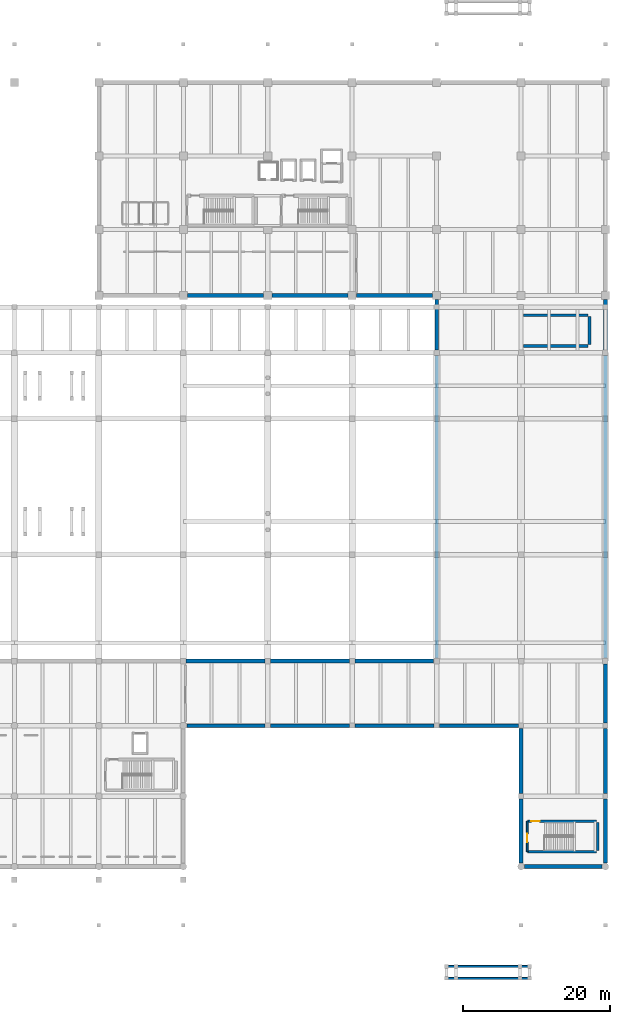
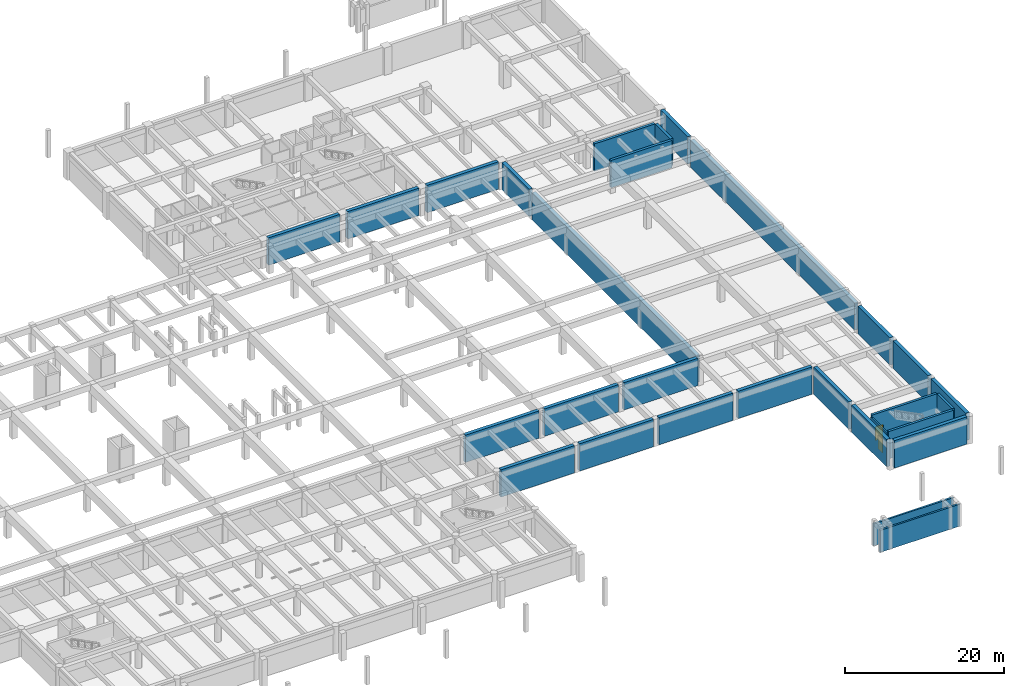
# One storey, part 14 of 20: 29 walls, 2 doors, 2 openings.
"""IFC4 building model written with IfcOpenShell, lengths in metres."""

from ifc_helpers import new_model, si_unit, direction, frame, frame_2d, origin, place, context, subcontext, project, spatial, rectangle, extrude, material, layer, layer_set, type_object, element, fill, save


model = new_model("IFC4")

# Units and contexts
model_context = context("Model", 3, precision=1e-05, world=origin(), true_north=direction((0.0, 1.0)))
body_context = subcontext(model_context, "Body", "Model", "MODEL_VIEW")
ifc_project = project(units=[si_unit("LENGTHUNIT", "METRE"), si_unit("AREAUNIT", "SQUARE_METRE"), si_unit("VOLUMEUNIT", "CUBIC_METRE"), si_unit("PLANEANGLEUNIT", "RADIAN"), si_unit("MASSUNIT", "GRAM", prefix="KILO")], contexts=[model_context])

# Site, building, storey
site_placement = place(None, origin())
site = spatial("IfcSite", under=ifc_project, at=site_placement, CompositionType="ELEMENT")
building_placement = place(site_placement, origin())
building = spatial("IfcBuilding", under=site, at=building_placement, Name="Ologun Quay Terminus", CompositionType="ELEMENT")
storey_placement = place(building_placement, frame((0.0, 0.0, -4.199951171875)))
storey = spatial("IfcBuildingStorey", under=building, at=storey_placement, Name="B01", CompositionType="ELEMENT", Elevation=-4.199951171875)

# Walls
ifc_material_1 = material(Name="Concrete C35/45", Category="concrete")
ifc_layer_1 = layer(ifc_material_1, 0.5)
ifc_layer_set_1 = layer_set([ifc_layer_1], Name="Concrete C35/45")
wall_type_1 = type_object("IfcWallType", Name="Basement Perimeter Retaining Wall 500", PredefinedType="SHEAR", material=ifc_layer_set_1)
wall_1_placement = place(storey_placement, frame((126.969970703125, 27.199951171875, 0.0), z_axis=(0.0, 0.0, 1.0), x_axis=(1.0, 0.0, 0.0)))
element("IfcWall", 1, at=wall_1_placement, inside=storey, type_object=wall_type_1, Name="Retaining Wall S7-12 B01", PredefinedType="SHEAR", context=body_context, shape_type="SweptSolid", body=[
    extrude(rectangle(XDim=10.659912109375, YDim=0.5, at=frame_2d((5.330078125, 0.0))), origin(), (0.0, 0.0, 1.0), 4.199951171875),
])
for number, where, z_axis, x_axis, name in (
    (2, (138.3701171875, 27.199951171875, 0.0), (0.0, 0.0, 1.0), (1.0, 0.0, 0.0), "Retaining Wall S7-13 B01"),
    (3, (149.8701171875, 27.199951171875, 0.0), (0.0, 0.0, 1.0), (1.0, 0.0, 0.0), "Retaining Wall S7-14 B01"),
    (4, (161.3701171875, 27.199951171875, 0.0), (0.0, 0.0, 1.0), (1.0, 0.0, 0.0), "Retaining Wall S7-15 B01"),
):
    element("IfcWall", number, at=place(storey_placement, frame(where, z_axis=z_axis, x_axis=x_axis)), inside=storey, type_object=wall_type_1, Name=name, PredefinedType="SHEAR", context=body_context, shape_type="SweptSolid", body=[
        extrude(rectangle(XDim=10.759765625, YDim=0.5, at=frame_2d((5.3798828125, 0.0))), origin(), (0.0, 0.0, 1.0), 4.199951171875),
    ])
wall_2_placement = place(storey_placement, frame((172.5, 8.469970703125, 0.0), z_axis=(0.0, 0.0, 1.0), x_axis=(0.0, 1.0, 0.0)))
element("IfcWall", 5, at=wall_2_placement, inside=storey, type_object=wall_type_1, Name="Retaining Wall S8-Y1 B01", PredefinedType="SHEAR", context=body_context, shape_type="SweptSolid", body=[
    extrude(rectangle(XDim=8.760009765625, YDim=0.5, at=frame_2d((4.3798828125, 0.0))), origin(), (0.0, 0.0, 1.0), 4.199951171875),
])
wall_3_placement = place(storey_placement, frame((172.5, 17.969970703125, 0.0), z_axis=(0.0, 0.0, 1.0), x_axis=(0.0, 1.0, 0.0)))
element("IfcWall", 6, at=wall_3_placement, inside=storey, type_object=wall_type_1, Name="Retaining Wall S8-Y2 B01", PredefinedType="SHEAR", context=body_context, shape_type="SweptSolid", body=[
    extrude(rectangle(XDim=8.860107421875, YDim=0.5, at=frame_2d((4.43017578125, 0.0))), origin(), (0.0, 0.0, 1.0), 4.199951171875),
])
wall_4_placement = place(storey_placement, frame((172.969970703125, 8.0, 0.0), z_axis=(0.0, 0.0, 1.0), x_axis=(1.0, 0.0, 0.0)))
element("IfcWall", 7, at=wall_4_placement, inside=storey, type_object=wall_type_1, Name="Retaining Wall S9-16 B01", PredefinedType="SHEAR", context=body_context, shape_type="SweptSolid", body=[
    extrude(rectangle(XDim=10.56005859375, YDim=0.5, at=frame_2d((5.280029296875, 0.0))), origin(), (0.0, 0.0, 1.0), 4.199951171875),
])
wall_5_placement = place(storey_placement, frame((184.0, 8.469970703125, 0.0), z_axis=(0.0, 0.0, 1.0), x_axis=(0.0, 1.0, 0.0)))
element("IfcWall", 8, at=wall_5_placement, inside=storey, type_object=wall_type_1, Name="Retaining Wall EG-Y1 B01", PredefinedType="SHEAR", context=body_context, shape_type="SweptSolid", body=[
    extrude(rectangle(XDim=8.760009765625, YDim=0.5, at=frame_2d((4.3798828125, 0.0))), origin(), (0.0, 0.0, 1.0), 4.199951171875),
])
wall_6_placement = place(storey_placement, frame((184.0, 17.969970703125, 0.0), z_axis=(0.0, 0.0, 1.0), x_axis=(0.0, 1.0, 0.0)))
element("IfcWall", 9, at=wall_6_placement, inside=storey, type_object=wall_type_1, Name="Retaining Wall EG-Y2 B01", PredefinedType="SHEAR", context=body_context, shape_type="SweptSolid", body=[
    extrude(rectangle(XDim=8.860107421875, YDim=0.5, at=frame_2d((4.43017578125, 0.0))), origin(), (0.0, 0.0, 1.0), 4.199951171875),
])
wall_7_placement = place(storey_placement, frame((184.0, 27.570068359375, 0.0), z_axis=(0.0, 0.0, 1.0), x_axis=(0.0, 1.0, 0.0)))
element("IfcWall", 10, at=wall_7_placement, inside=storey, type_object=wall_type_1, Name="Retaining Wall EG-Y3 B01", PredefinedType="SHEAR", context=body_context, shape_type="SweptSolid", body=[
    extrude(rectangle(XDim=8.034912109375, YDim=0.5, at=frame_2d((4.017578125, 0.0))), origin(), (0.0, 0.0, 1.0), 4.199951171875),
])
wall_8_placement = place(storey_placement, frame((184.0, 36.39501953125, 0.0), z_axis=(0.0, 0.0, 1.0), x_axis=(0.0, 1.0, 0.0)))
element("IfcWall", 11, at=wall_8_placement, inside=storey, type_object=wall_type_1, Name="Retaining Wall EG-Y4 B01", PredefinedType="SHEAR", context=body_context, shape_type="SweptSolid", body=[
    extrude(rectangle(XDim=41.2099609375, YDim=0.5, at=frame_2d((20.60498046875, 0.0))), origin(), (0.0, 0.0, 1.0), 4.199951171875),
])
wall_9_placement = place(storey_placement, frame((184.0, 78.39501953125, 0.0), z_axis=(0.0, 0.0, 1.0), x_axis=(0.0, 1.0, 0.0)))
element("IfcWall", 12, at=wall_9_placement, inside=storey, type_object=wall_type_1, Name="Retaining Wall EG-Y5 B01", PredefinedType="SHEAR", context=body_context, shape_type="SweptSolid", body=[
    extrude(rectangle(XDim=6.8349609375, YDim=0.5, at=frame_2d((3.41748046875, 0.0))), origin(), (0.0, 0.0, 1.0), 4.199951171875),
])
for number, where, z_axis, x_axis, name in (
    (13, (126.89501953125, 36.0, 0.0), (0.0, 0.0, 1.0), (1.0, 0.0, 0.0), "Retaining Wall TS-12 B01"),
    (14, (138.39501953125, 36.0, 0.0), (0.0, 0.0, 1.0), (1.0, 0.0, 0.0), "Retaining Wall TS-13 B01"),
    (15, (149.89501953125, 36.0, 0.0), (0.0, 0.0, 1.0), (1.0, 0.0, 0.0), "Retaining Wall TS-14 B01"),
):
    element("IfcWall", number, at=place(storey_placement, frame(where, z_axis=z_axis, x_axis=x_axis)), inside=storey, type_object=wall_type_1, Name=name, PredefinedType="SHEAR", context=body_context, shape_type="SweptSolid", body=[
        extrude(rectangle(XDim=10.7099609375, YDim=0.5, at=frame_2d((5.35498046875, 0.0))), origin(), (0.0, 0.0, 1.0), 4.199951171875),
    ])
wall_10_placement = place(storey_placement, frame((161.0, 36.39501953125, 0.0), z_axis=(0.0, 0.0, 1.0), x_axis=(0.0, 1.0, 0.0)))
element("IfcWall", 16, at=wall_10_placement, inside=storey, type_object=wall_type_1, Name="Retaining Wall TE-Y1 B01", PredefinedType="SHEAR", context=body_context, shape_type="SweptSolid", body=[
    extrude(rectangle(XDim=41.2099609375, YDim=0.5, at=frame_2d((20.60498046875, 0.0))), origin(), (0.0, 0.0, 1.0), 4.199951171875),
])
wall_11_placement = place(storey_placement, frame((161.0, 78.39501953125, 0.0), z_axis=(0.0, 0.0, 1.0), x_axis=(0.0, 1.0, 0.0)))
element("IfcWall", 17, at=wall_11_placement, inside=storey, type_object=wall_type_1, Name="Retaining Wall TE-Y2 B01", PredefinedType="SHEAR", context=body_context, shape_type="SweptSolid", body=[
    extrude(rectangle(XDim=6.8349609375, YDim=0.5, at=frame_2d((3.41748046875, 0.0))), origin(), (0.0, 0.0, 1.0), 4.199951171875),
])
for number, where, z_axis, x_axis, name in (
    (18, (127.070068359375, 85.800048828125, 0.0), (0.0, 0.0, 1.0), (1.0, 0.0, 0.0), "Retaining Wall TNE-12 B01"),
    (19, (138.570068359375, 85.800048828125, 0.0), (0.0, 0.0, 1.0), (1.0, 0.0, 0.0), "Retaining Wall TNE-13 B01"),
    (20, (150.070068359375, 85.800048828125, 0.0), (0.0, 0.0, 1.0), (1.0, 0.0, 0.0), "Retaining Wall TNE-14 B01"),
):
    element("IfcWall", number, at=place(storey_placement, frame(where, z_axis=z_axis, x_axis=x_axis)), inside=storey, type_object=wall_type_1, Name=name, PredefinedType="SHEAR", context=body_context, shape_type="SweptSolid", body=[
        extrude(rectangle(XDim=10.35986328125, YDim=0.5, at=frame_2d((5.179931640625, 0.0))), origin(), (0.0, 0.0, 1.0), 4.199951171875),
    ])

# Wall, opening, door
ifc_material_2 = material(Name="Concrete C40/50", Category="concrete")
ifc_layer_2 = layer(ifc_material_2, 0.239990234375)
ifc_layer_set_2 = layer_set([ifc_layer_2], Name="Concrete C40/50")
wall_type_2 = type_object("IfcWallType", Name="Fire Compartment Blockwork Wall 240", PredefinedType="SOLIDWALL", material=ifc_layer_set_2)
wall_12_placement = place(storey_placement, frame((173.35009765625, 10.02001953125, 0.0), z_axis=(0.0, 0.0, 1.0), x_axis=(0.0, 1.0, 0.0)))
wall_12 = element("IfcWall", 21, at=wall_12_placement, inside=storey, type_object=wall_type_2, Name="PW-01 Partition ST-S2-W", PredefinedType="SOLIDWALL", context=body_context, shape_type="SweptSolid", body=[
    extrude(rectangle(XDim=4.159912109375, YDim=0.239990234375, at=frame_2d((2.080078125, 0.0))), origin(), (0.0, 0.0, 1.0), 3.85986328125),
])
opening_1_placement = place(wall_12_placement, frame((1.300048828125, 0.0, 0.0)))
opening_1 = element("IfcOpeningElement", 22, at=opening_1_placement, cuts=wall_12, Name="Opening ID-239", PredefinedType="OPENING", context=body_context, shape_type="SweptSolid", body=[
    extrude(rectangle(XDim=1.1298828125, YDim=2.14990234375, at=frame_2d((0.56494140625, 1.074951171875))), frame((0.0, 0.1298828125, 0.0), z_axis=(0.0, -1.0, 0.0), x_axis=(1.0, 0.0, 0.0)), (0.0, 0.0, 1.0), 0.260009765625),
])
ifc_material_3 = material(Name="Steel S355", Category="steel")
door_type = type_object("IfcDoorType", Name="Stairwell Fire Escape Door 1130x2150", OperationType="SINGLE_SWING_LEFT", PredefinedType="DOOR", material=ifc_material_3)
door_1_placement = place(opening_1_placement, frame((0.56494140625, 0.0, 0.0), z_axis=(0.0, 0.0, 1.0), x_axis=(-1.0, 0.0, 0.0)))
door_1 = element("IfcDoor", 23, at=door_1_placement, inside=storey, type_object=door_type, Name="FD-01 Door ID-239", OperationType="SINGLE_SWING_LEFT", OverallHeight=2.14990234375, OverallWidth=1.1298828125, PredefinedType="DOOR", context=body_context, shape_type="SweptSolid", body=[
    extrude(rectangle(XDim=1.1298828125, YDim=2.14990234375, at=frame_2d((0.0, 1.074951171875))), frame((0.0, 0.02490234375, 0.0), z_axis=(0.0, -1.0, 0.0), x_axis=(1.0, 0.0, 0.0)), (0.0, 0.0, 1.0), 0.050048828125),
])
fill(opening_1, door_1)

# Walls
ifc_material_4 = material(Name="Concrete C40/50", Category="concrete")
ifc_layer_3 = layer(ifc_material_4, 0.3798828125)
ifc_layer_set_3 = layer_set([ifc_layer_3], Name="Concrete C40/50")
wall_type_3 = type_object("IfcWallType", Name="Platform Spine Shear Wall 380", PredefinedType="SHEAR", material=ifc_layer_set_3)
for number, where, z_axis, x_axis, name in (
    (24, (172.85009765625, 78.909912109375, 0.0), (0.0, 0.0, 1.0), (1.0, 0.0, 0.0), "Station Core 6 S Shear Wall B01"),
    (25, (172.85009765625, 83.090087890625, 0.0), (0.0, 0.0, 1.0), (1.0, 0.0, 0.0), "Station Core 6 N Shear Wall B01"),
):
    element("IfcWall", number, at=place(storey_placement, frame(where, z_axis=z_axis, x_axis=x_axis)), inside=storey, type_object=wall_type_3, Name=name, PredefinedType="SHEAR", context=body_context, shape_type="SweptSolid", body=[
        extrude(rectangle(XDim=8.7998046875, YDim=0.3798828125, at=frame_2d((4.39990234375, 0.0))), origin(), (0.0, 0.0, 1.0), 4.199951171875),
    ])
wall_13_placement = place(storey_placement, frame((181.840087890625, 79.10009765625, 0.0), z_axis=(0.0, 0.0, 1.0), x_axis=(0.0, 1.0, 0.0)))
element("IfcWall", 26, at=wall_13_placement, inside=storey, type_object=wall_type_3, Name="Station Core 6 E Shear Wall B01", PredefinedType="SHEAR", context=body_context, shape_type="SweptSolid", body=[
    extrude(rectangle(XDim=3.7998046875, YDim=0.3798828125, at=frame_2d((1.89990234375, 0.0))), origin(), (0.0, 0.0, 1.0), 4.199951171875),
])
ifc_material_5 = material(Name="Concrete C40/50", Category="concrete")
ifc_layer_4 = layer(ifc_material_5, 0.35009765625)
ifc_layer_set_4 = layer_set([ifc_layer_4], Name="Concrete C40/50")
wall_type_4 = type_object("IfcWallType", Name="Station Core Shear Wall 350", PredefinedType="SHEAR", material=ifc_layer_set_4)
wall_14_placement = place(storey_placement, frame((173.35009765625, 10.02490234375, 0.0), z_axis=(0.0, 0.0, 1.0), x_axis=(1.0, 0.0, 0.0)))
element("IfcWall", 27, at=wall_14_placement, inside=storey, type_object=wall_type_4, Name="Station Core 2 S Shear Wall B01", PredefinedType="SHEAR", context=body_context, shape_type="SweptSolid", body=[
    extrude(rectangle(XDim=9.39990234375, YDim=0.35009765625, at=frame_2d((4.699951171875, 0.0))), origin(), (0.0, 0.0, 1.0), 4.199951171875),
])

# Wall, opening, door
wall_15_placement = place(storey_placement, frame((173.35009765625, 14.175048828125, 0.0), z_axis=(0.0, 0.0, 1.0), x_axis=(1.0, 0.0, 0.0)))
wall_15 = element("IfcWall", 28, at=wall_15_placement, inside=storey, type_object=wall_type_4, Name="Station Core 2 N Shear Wall B01", PredefinedType="SHEAR", context=body_context, shape_type="SweptSolid", body=[
    extrude(rectangle(XDim=9.39990234375, YDim=0.35009765625, at=frame_2d((4.699951171875, 0.0))), origin(), (0.0, 0.0, 1.0), 4.199951171875),
])
opening_2_placement = place(wall_15_placement, frame((0.550048828125, 0.0, 0.0)))
opening_2 = element("IfcOpeningElement", 29, at=opening_2_placement, cuts=wall_15, Name="Opening ID-240", PredefinedType="OPENING", context=body_context, shape_type="SweptSolid", body=[
    extrude(rectangle(XDim=1.1298828125, YDim=2.14990234375, at=frame_2d((0.56494140625, 1.074951171875))), frame((0.0, 0.18505859375, 0.0), z_axis=(0.0, -1.0, 0.0), x_axis=(1.0, 0.0, 0.0)), (0.0, 0.0, 1.0), 0.3701171875),
])
door_2_placement = place(opening_2_placement, frame((0.56494140625, 0.0, 0.0), z_axis=(0.0, 0.0, 1.0), x_axis=(-1.0, 0.0, 0.0)))
door_2 = element("IfcDoor", 30, at=door_2_placement, inside=storey, type_object=door_type, Name="FD-01 Door ID-240", OperationType="SINGLE_SWING_LEFT", OverallHeight=2.14990234375, OverallWidth=1.1298828125, PredefinedType="DOOR", context=body_context, shape_type="SweptSolid", body=[
    extrude(rectangle(XDim=1.1298828125, YDim=2.14990234375, at=frame_2d((0.0, 1.074951171875))), frame((0.0, 0.02490234375, 0.0), z_axis=(0.0, -1.0, 0.0), x_axis=(1.0, 0.0, 0.0)), (0.0, 0.0, 1.0), 0.050048828125),
])
fill(opening_2, door_2)

# Walls
wall_16_placement = place(storey_placement, frame((182.925048828125, 10.199951171875, 0.0), z_axis=(0.0, 0.0, 1.0), x_axis=(0.0, 1.0, 0.0)))
element("IfcWall", 31, at=wall_16_placement, inside=storey, type_object=wall_type_4, Name="Station Core 2 E Shear Wall B01", PredefinedType="SHEAR", context=body_context, shape_type="SweptSolid", body=[
    extrude(rectangle(XDim=3.800048828125, YDim=0.35009765625, at=frame_2d((1.89990234375, 0.0))), origin(), (0.0, 0.0, 1.0), 4.199951171875),
])
ifc_material_6 = material(Name="Concrete C40/50", Category="concrete")
ifc_layer_5 = layer(ifc_material_6, 0.27001953125)
ifc_layer_set_5 = layer_set([ifc_layer_5], Name="Concrete C40/50")
wall_type_5 = type_object("IfcWallType", Name="Vehicle Ramp Bay Structural Wall 270", PredefinedType="SHEAR", material=ifc_layer_set_5)
for number, where, z_axis, x_axis, name in (
    (32, (162.199951171875, -7.219970703125, 0.0), (0.0, 0.0, 1.0), (1.0, 0.0, 0.0), "SW-RMP Ramp Plinth Wall 4S B01"),
    (33, (162.199951171875, -5.580078125, 0.0), (0.0, 0.0, 1.0), (1.0, 0.0, 0.0), "SW-RMP Ramp Plinth Wall 4N B01"),
):
    element("IfcWall", number, at=place(storey_placement, frame(where, z_axis=z_axis, x_axis=x_axis)), inside=storey, type_object=wall_type_5, Name=name, PredefinedType="SHEAR", context=body_context, shape_type="SweptSolid", body=[
        extrude(rectangle(XDim=11.60009765625, YDim=0.27001953125, at=frame_2d((5.800048828125, 0.0))), origin(), (0.0, 0.0, 1.0), 3.3798828125),
    ])

save(model, "model.ifc")
